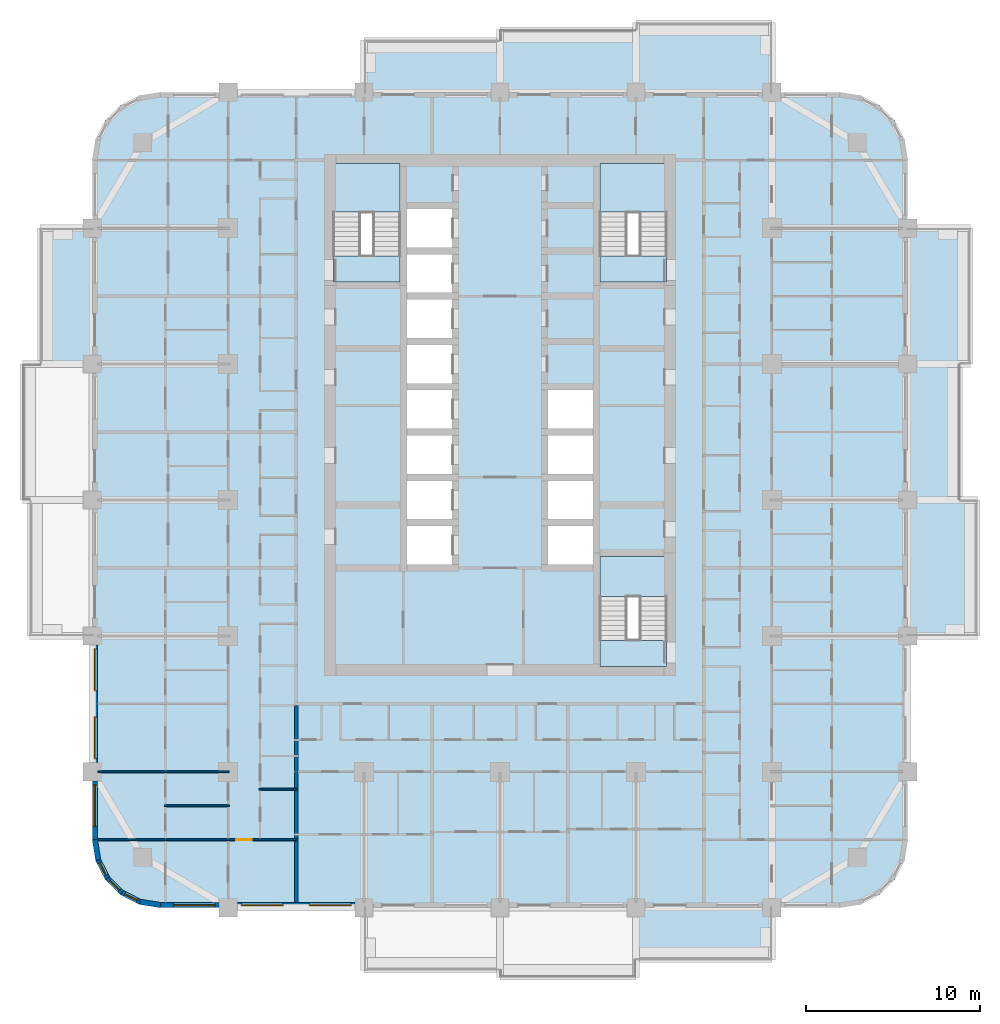
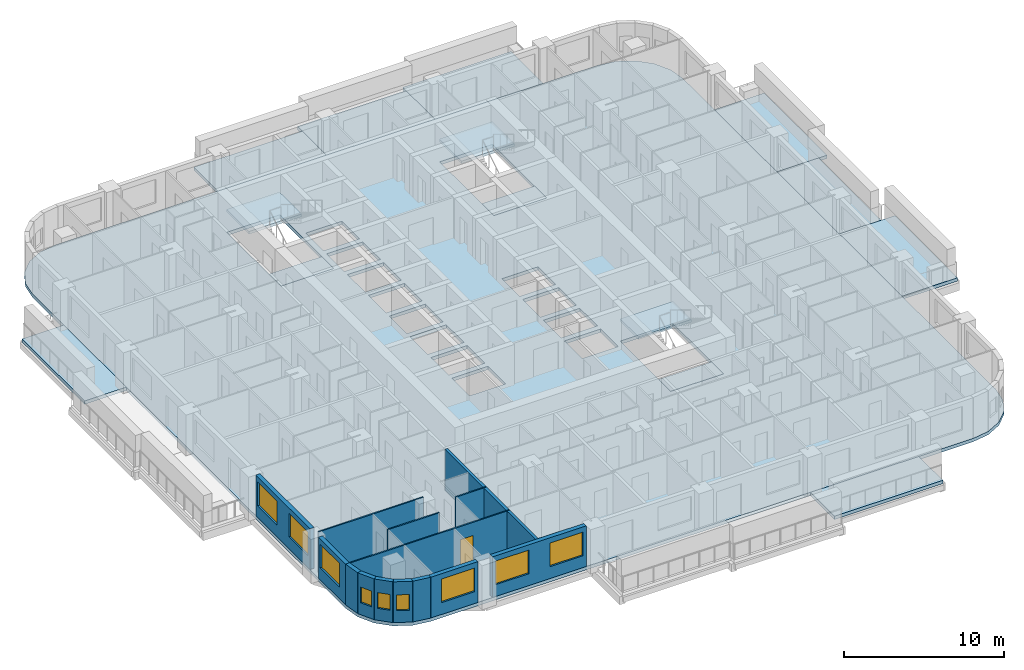
# One storey, part 2 of 17: 15 slabs, 14 walls, 9 windows, 1 door, 10 openings, 3 elements without a shape of their own.
"""IFC4 building model written with IfcOpenShell, lengths in metres."""

from ifc_helpers import new_model, si_unit, direction, frame, frame_2d, origin, place, context, subcontext, project, spatial, polyline, rectangle, outline, extrude, material, layer, layer_set, type_object, element, fill, aggregate, save


model = new_model("IFC4")

# Units and contexts
model_context = context("Model", 3, precision=1e-05, world=origin(), true_north=direction((0.0, 1.0)))
body_context = subcontext(model_context, "Body", "Model", "MODEL_VIEW")
ifc_project = project(units=[si_unit("LENGTHUNIT", "METRE"), si_unit("AREAUNIT", "SQUARE_METRE"), si_unit("VOLUMEUNIT", "CUBIC_METRE"), si_unit("PLANEANGLEUNIT", "RADIAN"), si_unit("MASSUNIT", "GRAM", prefix="KILO")], contexts=[model_context])

# Site, building, storey
site_placement = place(None, origin())
site = spatial("IfcSite", under=ifc_project, at=site_placement, CompositionType="ELEMENT")
building_placement = place(site_placement, origin())
building = spatial("IfcBuilding", under=site, at=building_placement, Name="Ludao Terraces", CompositionType="ELEMENT")
storey_placement = place(building_placement, frame((0.0, 0.0, 43.300048828125)))
storey = spatial("IfcBuildingStorey", under=building, at=storey_placement, Name="L11", CompositionType="ELEMENT", Elevation=43.300048828125)

# Slabs
ifc_material_1 = material(Name="Concrete C40", Category="concrete")
ifc_layer_1 = layer(ifc_material_1, 0.25)
ifc_layer_set_1 = layer_set([ifc_layer_1], Name="Balcony slab 250 C40")
slab_type_1 = type_object("IfcSlabType", Name="Balcony slab 250 C40", PredefinedType="USERDEFINED", material=ifc_layer_set_1)
slab_1_placement = place(storey_placement, frame((0.0, 0.0, -0.25)))
element("IfcSlab", 1, at=slab_1_placement, inside=storey, type_object=slab_type_1, Name="Balcony L11 S4", ObjectType="BALCONY", PredefinedType="USERDEFINED", context=body_context, shape_type="SweptSolid", body=[
    extrude(outline(polyline([(92.800048828125, 38.60009765625), (100.60009765625, 38.60009765625), (100.60009765625, 41.60009765625), (92.800048828125, 41.60009765625), (92.800048828125, 38.60009765625)])), origin(), (0.0, 0.0, 1.0), 0.25),
])
slab_2_placement = place(storey_placement, frame((0.0, 0.0, -0.25)))
element("IfcSlab", 2, at=slab_2_placement, inside=storey, type_object=slab_type_1, Name="Balcony L11 E2", ObjectType="BALCONY", PredefinedType="USERDEFINED", context=body_context, shape_type="SweptSolid", body=[
    extrude(outline(polyline([(108.39990234375, 57.199951171875), (112.39990234375, 57.199951171875), (112.39990234375, 65.0), (108.39990234375, 65.0), (108.39990234375, 57.199951171875)])), origin(), (0.0, 0.0, 1.0), 0.25),
])
slab_3_placement = place(storey_placement, frame((0.0, 0.0, -0.25)))
element("IfcSlab", 3, at=slab_3_placement, inside=storey, type_object=slab_type_1, Name="Balcony L11 E3", ObjectType="BALCONY", PredefinedType="USERDEFINED", context=body_context, shape_type="SweptSolid", body=[
    extrude(outline(polyline([(108.39990234375, 65.0), (111.39990234375, 65.0), (111.39990234375, 72.800048828125), (108.39990234375, 72.800048828125), (108.39990234375, 65.0)])), origin(), (0.0, 0.0, 1.0), 0.25),
])
slab_4_placement = place(storey_placement, frame((0.0, 0.0, -0.25)))
element("IfcSlab", 4, at=slab_4_placement, inside=storey, type_object=slab_type_1, Name="Balcony L11 E4", ObjectType="BALCONY", PredefinedType="USERDEFINED", context=body_context, shape_type="SweptSolid", body=[
    extrude(outline(polyline([(108.39990234375, 72.800048828125), (112.0, 72.800048828125), (112.0, 80.60009765625), (108.39990234375, 80.60009765625), (108.39990234375, 72.800048828125)])), origin(), (0.0, 0.0, 1.0), 0.25),
])
slab_5_placement = place(storey_placement, frame((0.0, 0.0, -0.25)))
element("IfcSlab", 5, at=slab_5_placement, inside=storey, type_object=slab_type_1, Name="Balcony L11 N2", ObjectType="BALCONY", PredefinedType="USERDEFINED", context=body_context, shape_type="SweptSolid", body=[
    extrude(outline(polyline([(77.199951171875, 88.39990234375), (85.0, 88.39990234375), (85.0, 91.39990234375), (77.199951171875, 91.39990234375), (77.199951171875, 88.39990234375)])), origin(), (0.0, 0.0, 1.0), 0.25),
])
slab_6_placement = place(storey_placement, frame((0.0, 0.0, -0.25)))
element("IfcSlab", 6, at=slab_6_placement, inside=storey, type_object=slab_type_1, Name="Balcony L11 N3", ObjectType="BALCONY", PredefinedType="USERDEFINED", context=body_context, shape_type="SweptSolid", body=[
    extrude(outline(polyline([(85.0, 88.39990234375), (92.800048828125, 88.39990234375), (92.800048828125, 92.0), (85.0, 92.0), (85.0, 88.39990234375)])), origin(), (0.0, 0.0, 1.0), 0.25),
])
slab_7_placement = place(storey_placement, frame((0.0, 0.0, -0.25)))
element("IfcSlab", 7, at=slab_7_placement, inside=storey, type_object=slab_type_1, Name="Balcony L11 N4", ObjectType="BALCONY", PredefinedType="USERDEFINED", context=body_context, shape_type="SweptSolid", body=[
    extrude(outline(polyline([(92.800048828125, 88.39990234375), (100.60009765625, 88.39990234375), (100.60009765625, 92.39990234375), (92.800048828125, 92.39990234375), (92.800048828125, 88.39990234375)])), origin(), (0.0, 0.0, 1.0), 0.25),
])
slab_8_placement = place(storey_placement, frame((0.0, 0.0, -0.25)))
element("IfcSlab", 8, at=slab_8_placement, inside=storey, type_object=slab_type_1, Name="Balcony L11 W4", ObjectType="BALCONY", PredefinedType="USERDEFINED", context=body_context, shape_type="SweptSolid", body=[
    extrude(outline(polyline([(58.60009765625, 72.800048828125), (61.60009765625, 72.800048828125), (61.60009765625, 80.60009765625), (58.60009765625, 80.60009765625), (58.60009765625, 72.800048828125)])), origin(), (0.0, 0.0, 1.0), 0.25),
])
ifc_layer_2 = layer(ifc_material_1, 0.25)
ifc_layer_set_2 = layer_set([ifc_layer_2], Name="Floor slab 250 C40")
slab_type_2 = type_object("IfcSlabType", Name="Floor slab 250 C40", PredefinedType="FLOOR", material=ifc_layer_set_2)
slab_9_placement = place(storey_placement, frame((0.0, 0.0, -0.25)))
element("IfcSlab", 9, at=slab_9_placement, inside=storey, type_object=slab_type_2, Name="Slab L11", PredefinedType="FLOOR", context=body_context, shape_type="SweptSolid", body=[
    extrude(outline(polyline([(104.5, 41.60009765625), (105.705078125, 41.790771484375), (106.79248046875, 42.3447265625), (107.6552734375, 43.20751953125), (108.209228515625, 44.294921875), (108.39990234375, 45.5), (108.39990234375, 84.5), (108.209228515625, 85.705078125), (107.6552734375, 86.79248046875), (106.79248046875, 87.6552734375), (105.705078125, 88.209228515625), (104.5, 88.39990234375), (65.5, 88.39990234375), (64.294921875, 88.209228515625), (63.20751953125, 87.6552734375), (62.3447265625, 86.79248046875), (61.790771484375, 85.705078125), (61.60009765625, 84.5), (61.60009765625, 45.5), (61.790771484375, 44.294921875), (62.3447265625, 43.20751953125), (63.20751953125, 42.3447265625), (64.294921875, 41.790771484375), (65.5, 41.60009765625), (104.5, 41.60009765625)]), holes=[polyline([(79.64990234375, 61.300048828125), (82.25, 61.300048828125), (82.25, 63.5), (79.64990234375, 63.5), (79.64990234375, 61.300048828125)]), polyline([(79.64990234375, 63.89990234375), (82.25, 63.89990234375), (82.25, 66.10009765625), (79.64990234375, 66.10009765625), (79.64990234375, 63.89990234375)]), polyline([(79.64990234375, 66.5), (82.25, 66.5), (82.25, 68.699951171875), (79.64990234375, 68.699951171875), (79.64990234375, 66.5)]), polyline([(79.64990234375, 69.10009765625), (82.25, 69.10009765625), (82.25, 71.300048828125), (79.64990234375, 71.300048828125), (79.64990234375, 69.10009765625)]), polyline([(79.64990234375, 71.699951171875), (82.25, 71.699951171875), (82.25, 73.89990234375), (79.64990234375, 73.89990234375), (79.64990234375, 71.699951171875)]), polyline([(79.64990234375, 74.300048828125), (82.25, 74.300048828125), (82.25, 76.5), (79.64990234375, 76.5), (79.64990234375, 74.300048828125)]), polyline([(79.64990234375, 76.89990234375), (82.25, 76.89990234375), (82.25, 79.10009765625), (79.64990234375, 79.10009765625), (79.64990234375, 76.89990234375)]), polyline([(79.64990234375, 79.5), (82.25, 79.5), (82.25, 81.699951171875), (79.64990234375, 81.699951171875), (79.64990234375, 79.5)]), polyline([(87.75, 61.300048828125), (90.35009765625, 61.300048828125), (90.35009765625, 63.5), (87.75, 63.5), (87.75, 61.300048828125)]), polyline([(87.75, 63.89990234375), (90.35009765625, 63.89990234375), (90.35009765625, 66.10009765625), (87.75, 66.10009765625), (87.75, 63.89990234375)]), polyline([(87.75, 66.5), (90.35009765625, 66.5), (90.35009765625, 68.699951171875), (87.75, 68.699951171875), (87.75, 66.5)]), polyline([(87.75, 69.10009765625), (90.35009765625, 69.10009765625), (90.35009765625, 71.300048828125), (87.75, 71.300048828125), (87.75, 69.10009765625)]), polyline([(75.449951171875, 77.5), (79.25, 77.5), (79.25, 84.239990234375), (75.449951171875, 84.239990234375), (75.449951171875, 77.5)]), polyline([(90.75, 77.5), (94.550048828125, 77.5), (94.550048828125, 84.239990234375), (90.75, 84.239990234375), (90.75, 77.5)]), polyline([(90.75, 55.449951171875), (94.550048828125, 55.449951171875), (94.550048828125, 61.75), (90.75, 61.75), (90.75, 55.449951171875)])]), origin(), (0.0, 0.0, 1.0), 0.25),
])

# Stair, slabs
stair_type = type_object("IfcStairType", Name="INT Stair", PredefinedType="HALF_TURN_STAIR", material=ifc_material_1)
stair_1_placement = place(storey_placement, origin())
stair_1 = element("IfcStair", 10, at=stair_1_placement, inside=storey, type_object=stair_type, Name="EXIT STAIR 1", PredefinedType="HALF_TURN_STAIR")
ifc_layer_3 = layer(ifc_material_1, 0.199951171875)
ifc_layer_set_3 = layer_set([ifc_layer_3], Name="INT Stair landing 200")
slab_type_3 = type_object("IfcSlabType", Name="INT Stair landing 200", PredefinedType="LANDING", material=ifc_layer_set_3)
slab_10_placement = place(storey_placement, frame((0.0, 0.0, 1.5)))
slab_10 = element("IfcSlab", 11, at=slab_10_placement, type_object=slab_type_3, Name="ST1 landing 1", PredefinedType="LANDING", context=body_context, shape_type="SweptSolid", body=[
    extrude(outline(polyline([(75.449951171875, 81.52001953125), (79.25, 81.52001953125), (79.25, 84.300048828125), (75.449951171875, 84.300048828125), (75.449951171875, 81.52001953125)])), origin(), (0.0, 0.0, 1.0), 0.199951171875),
])
slab_11_placement = place(storey_placement, frame((0.0, 0.0, -0.199951171875)))
slab_11 = element("IfcSlab", 12, at=slab_11_placement, type_object=slab_type_3, Name="ST1 landing 2", PredefinedType="LANDING", context=body_context, shape_type="SweptSolid", body=[
    extrude(outline(polyline([(75.449951171875, 77.5), (79.25, 77.5), (79.25, 79.0), (75.449951171875, 79.0), (75.449951171875, 77.5)])), origin(), (0.0, 0.0, 1.0), 0.199951171875),
])
aggregate(stair_1, [slab_10, slab_11])

stair_2_placement = place(storey_placement, origin())
stair_2 = element("IfcStair", 13, at=stair_2_placement, inside=storey, type_object=stair_type, Name="EXIT STAIR 2", PredefinedType="HALF_TURN_STAIR")
slab_12_placement = place(storey_placement, frame((0.0, 0.0, 1.5)))
slab_12 = element("IfcSlab", 14, at=slab_12_placement, type_object=slab_type_3, Name="ST2 landing 1", PredefinedType="LANDING", context=body_context, shape_type="SweptSolid", body=[
    extrude(outline(polyline([(90.75, 81.52001953125), (94.550048828125, 81.52001953125), (94.550048828125, 84.300048828125), (90.75, 84.300048828125), (90.75, 81.52001953125)])), origin(), (0.0, 0.0, 1.0), 0.199951171875),
])
slab_13_placement = place(storey_placement, frame((0.0, 0.0, -0.199951171875)))
slab_13 = element("IfcSlab", 15, at=slab_13_placement, type_object=slab_type_3, Name="ST2 landing 2", PredefinedType="LANDING", context=body_context, shape_type="SweptSolid", body=[
    extrude(outline(polyline([(90.75, 77.5), (94.550048828125, 77.5), (94.550048828125, 79.0), (90.75, 79.0), (90.75, 77.5)])), origin(), (0.0, 0.0, 1.0), 0.199951171875),
])
aggregate(stair_2, [slab_12, slab_13])

stair_3_placement = place(storey_placement, origin())
stair_3 = element("IfcStair", 16, at=stair_3_placement, inside=storey, type_object=stair_type, Name="EXIT STAIR 3", PredefinedType="HALF_TURN_STAIR")
slab_14_placement = place(storey_placement, frame((0.0, 0.0, 1.5)))
slab_14 = element("IfcSlab", 17, at=slab_14_placement, type_object=slab_type_3, Name="ST3 landing 1", PredefinedType="LANDING", context=body_context, shape_type="SweptSolid", body=[
    extrude(outline(polyline([(90.75, 59.469970703125), (94.550048828125, 59.469970703125), (94.550048828125, 61.75), (90.75, 61.75), (90.75, 59.469970703125)])), origin(), (0.0, 0.0, 1.0), 0.199951171875),
])
slab_15_placement = place(storey_placement, frame((0.0, 0.0, -0.199951171875)))
slab_15 = element("IfcSlab", 18, at=slab_15_placement, type_object=slab_type_3, Name="ST3 landing 2", PredefinedType="LANDING", context=body_context, shape_type="SweptSolid", body=[
    extrude(outline(polyline([(90.75, 55.449951171875), (94.550048828125, 55.449951171875), (94.550048828125, 56.949951171875), (90.75, 56.949951171875), (90.75, 55.449951171875)])), origin(), (0.0, 0.0, 1.0), 0.199951171875),
])
aggregate(stair_3, [slab_14, slab_15])

# Wall, opening, window
ifc_material_2 = material(Name="Granite cladding", Category="masonry")
ifc_layer_4 = layer(ifc_material_2, 0.0400390625, Category="stone")
ifc_material_3 = material(Name="Mineral wool")
ifc_layer_5 = layer(ifc_material_3, 0.06005859375)
ifc_layer_6 = layer(ifc_material_1, 0.199951171875, Category="concrete")
ifc_layer_set_4 = layer_set([ifc_layer_4, ifc_layer_5, ifc_layer_6], Name="ENV Stone-clad wall 300")
wall_type_1 = type_object("IfcWallType", Name="ENV Stone-clad wall 300", PredefinedType="SOLIDWALL", material=ifc_layer_set_4)
wall_1_placement = place(storey_placement, frame((65.5, 41.75, 0.0), z_axis=(0.0, 0.0, 1.0), x_axis=(1.0, 0.0, 0.0)))
wall_1 = element("IfcWall", 19, at=wall_1_placement, inside=storey, type_object=wall_type_1, Name="EW-L11-S1", PredefinedType="SOLIDWALL", context=body_context, shape_type="SweptSolid", body=[
    extrude(rectangle(XDim=3.375, YDim=0.300048828125, at=frame_2d((1.6875, 0.0))), origin(), (0.0, 0.0, 1.0), 3.099853515625),
])
opening_1_placement = place(wall_1_placement, frame((0.75, 0.0, 0.89990234375)))
opening_1 = element("IfcOpeningElement", 20, at=opening_1_placement, cuts=wall_1, Name="Opening W1", PredefinedType="OPENING", context=body_context, shape_type="SweptSolid", body=[
    extrude(rectangle(XDim=2.39990234375, YDim=1.800048828125, at=frame_2d((1.199951171875, 0.89990234375))), frame((0.0, 0.16015625, 0.0), z_axis=(0.0, -1.0, 0.0), x_axis=(1.0, 0.0, 0.0)), (0.0, 0.0, 1.0), 0.320068359375),
])
ifc_material_4 = material(Name="Clear glass in aluminium frame", Category="aluminium")
ifc_layer_7 = layer(ifc_material_4, 0.06005859375)
ifc_layer_set_5 = layer_set([ifc_layer_7], Name="ENV Window W1 2400x1800")
window_type_1 = type_object("IfcWindowType", Name="ENV Window W1 2400x1800", PartitioningType="DOUBLE_PANEL_VERTICAL", PredefinedType="WINDOW", material=ifc_layer_set_5)
window_1_placement = place(opening_1_placement, origin())
window_1 = element("IfcWindow", 21, at=window_1_placement, inside=storey, type_object=window_type_1, Name="W-L11-S1-1", OverallHeight=1.800048828125, OverallWidth=2.39990234375, PartitioningType="DOUBLE_PANEL_VERTICAL", PredefinedType="WINDOW", context=body_context, shape_type="SweptSolid", body=[
    extrude(rectangle(XDim=2.39990234375, YDim=1.800048828125, at=frame_2d((1.199951171875, 0.89990234375))), frame((0.0, 0.030029296875, 0.0), z_axis=(0.0, -1.0, 0.0), x_axis=(1.0, 0.0, 0.0)), (0.0, 0.0, 1.0), 0.06005859375),
])
fill(opening_1, window_1)

# Wall, openings, windows
wall_2_placement = place(storey_placement, frame((69.925048828125, 41.75, 0.0), z_axis=(0.0, 0.0, 1.0), x_axis=(1.0, 0.0, 0.0)))
wall_2 = element("IfcWall", 22, at=wall_2_placement, inside=storey, type_object=wall_type_1, Name="EW-L11-S2", PredefinedType="SOLIDWALL", context=body_context, shape_type="SweptSolid", body=[
    extrude(rectangle(XDim=6.75, YDim=0.300048828125, at=frame_2d((3.375, 0.0))), origin(), (0.0, 0.0, 1.0), 3.099853515625),
])
opening_2_placement = place(wall_2_placement, frame((0.22509765625, 0.0, 0.89990234375)))
opening_2 = element("IfcOpeningElement", 23, at=opening_2_placement, cuts=wall_2, Name="Opening W1", PredefinedType="OPENING", context=body_context, shape_type="SweptSolid", body=[
    extrude(rectangle(XDim=2.39990234375, YDim=1.800048828125, at=frame_2d((1.199951171875, 0.89990234375))), frame((0.0, 0.16015625, 0.0), z_axis=(0.0, -1.0, 0.0), x_axis=(1.0, 0.0, 0.0)), (0.0, 0.0, 1.0), 0.320068359375),
])
opening_3_placement = place(wall_2_placement, frame((4.125, 0.0, 0.89990234375)))
opening_3 = element("IfcOpeningElement", 24, at=opening_3_placement, cuts=wall_2, Name="Opening W1", PredefinedType="OPENING", context=body_context, shape_type="SweptSolid", body=[
    extrude(rectangle(XDim=2.39990234375, YDim=1.800048828125, at=frame_2d((1.199951171875, 0.89990234375))), frame((0.0, 0.16015625, 0.0), z_axis=(0.0, -1.0, 0.0), x_axis=(1.0, 0.0, 0.0)), (0.0, 0.0, 1.0), 0.320068359375),
])
window_2_placement = place(opening_2_placement, origin())
window_2 = element("IfcWindow", 25, at=window_2_placement, inside=storey, type_object=window_type_1, Name="W-L11-S2-1", OverallHeight=1.800048828125, OverallWidth=2.39990234375, PartitioningType="DOUBLE_PANEL_VERTICAL", PredefinedType="WINDOW", context=body_context, shape_type="SweptSolid", body=[
    extrude(rectangle(XDim=2.39990234375, YDim=1.800048828125, at=frame_2d((1.199951171875, 0.89990234375))), frame((0.0, 0.030029296875, 0.0), z_axis=(0.0, -1.0, 0.0), x_axis=(1.0, 0.0, 0.0)), (0.0, 0.0, 1.0), 0.06005859375),
])
fill(opening_2, window_2)
window_3_placement = place(opening_3_placement, origin())
window_3 = element("IfcWindow", 26, at=window_3_placement, inside=storey, type_object=window_type_1, Name="W-L11-S2-2", OverallHeight=1.800048828125, OverallWidth=2.39990234375, PartitioningType="DOUBLE_PANEL_VERTICAL", PredefinedType="WINDOW", context=body_context, shape_type="SweptSolid", body=[
    extrude(rectangle(XDim=2.39990234375, YDim=1.800048828125, at=frame_2d((1.199951171875, 0.89990234375))), frame((0.0, 0.030029296875, 0.0), z_axis=(0.0, -1.0, 0.0), x_axis=(1.0, 0.0, 0.0)), (0.0, 0.0, 1.0), 0.06005859375),
])
fill(opening_3, window_3)

# Wall, opening, window
wall_3_placement = place(storey_placement, frame((61.75, 45.5, 0.0), z_axis=(0.0, 0.0, 1.0), x_axis=(0.0, 1.0, 0.0)))
wall_3 = element("IfcWall", 27, at=wall_3_placement, inside=storey, type_object=wall_type_1, Name="EW-L11-W1", PredefinedType="SOLIDWALL", context=body_context, shape_type="SweptSolid", body=[
    extrude(rectangle(XDim=3.375, YDim=0.300048828125, at=frame_2d((1.6875, 0.0))), origin(), (0.0, 0.0, 1.0), 3.099853515625),
])
opening_4_placement = place(wall_3_placement, frame((0.75, 0.0, 0.89990234375)))
opening_4 = element("IfcOpeningElement", 28, at=opening_4_placement, cuts=wall_3, Name="Opening W1", PredefinedType="OPENING", context=body_context, shape_type="SweptSolid", body=[
    extrude(rectangle(XDim=2.39990234375, YDim=1.800048828125, at=frame_2d((1.199951171875, 0.89990234375))), frame((0.0, 0.16015625, 0.0), z_axis=(0.0, -1.0, 0.0), x_axis=(1.0, 0.0, 0.0)), (0.0, 0.0, 1.0), 0.320068359375),
])
window_4_placement = place(opening_4_placement, origin())
window_4 = element("IfcWindow", 29, at=window_4_placement, inside=storey, type_object=window_type_1, Name="W-L11-W1-1", OverallHeight=1.800048828125, OverallWidth=2.39990234375, PartitioningType="DOUBLE_PANEL_VERTICAL", PredefinedType="WINDOW", context=body_context, shape_type="SweptSolid", body=[
    extrude(rectangle(XDim=2.39990234375, YDim=1.800048828125, at=frame_2d((1.199951171875, 0.89990234375))), frame((0.0, 0.030029296875, 0.0), z_axis=(0.0, -1.0, 0.0), x_axis=(1.0, 0.0, 0.0)), (0.0, 0.0, 1.0), 0.06005859375),
])
fill(opening_4, window_4)

# Wall, openings, windows
wall_4_placement = place(storey_placement, frame((61.75, 49.925048828125, 0.0), z_axis=(0.0, 0.0, 1.0), x_axis=(0.0, 1.0, 0.0)))
wall_4 = element("IfcWall", 30, at=wall_4_placement, inside=storey, type_object=wall_type_1, Name="EW-L11-W2", PredefinedType="SOLIDWALL", context=body_context, shape_type="SweptSolid", body=[
    extrude(rectangle(XDim=6.75, YDim=0.300048828125, at=frame_2d((3.375, 0.0))), origin(), (0.0, 0.0, 1.0), 3.099853515625),
])
opening_5_placement = place(wall_4_placement, frame((0.22509765625, 0.0, 0.89990234375)))
opening_5 = element("IfcOpeningElement", 31, at=opening_5_placement, cuts=wall_4, Name="Opening W1", PredefinedType="OPENING", context=body_context, shape_type="SweptSolid", body=[
    extrude(rectangle(XDim=2.39990234375, YDim=1.800048828125, at=frame_2d((1.199951171875, 0.89990234375))), frame((0.0, 0.16015625, 0.0), z_axis=(0.0, -1.0, 0.0), x_axis=(1.0, 0.0, 0.0)), (0.0, 0.0, 1.0), 0.320068359375),
])
opening_6_placement = place(wall_4_placement, frame((4.125, 0.0, 0.89990234375)))
opening_6 = element("IfcOpeningElement", 32, at=opening_6_placement, cuts=wall_4, Name="Opening W1", PredefinedType="OPENING", context=body_context, shape_type="SweptSolid", body=[
    extrude(rectangle(XDim=2.39990234375, YDim=1.800048828125, at=frame_2d((1.199951171875, 0.89990234375))), frame((0.0, 0.16015625, 0.0), z_axis=(0.0, -1.0, 0.0), x_axis=(1.0, 0.0, 0.0)), (0.0, 0.0, 1.0), 0.320068359375),
])
window_5_placement = place(opening_5_placement, origin())
window_5 = element("IfcWindow", 33, at=window_5_placement, inside=storey, type_object=window_type_1, Name="W-L11-W2-1", OverallHeight=1.800048828125, OverallWidth=2.39990234375, PartitioningType="DOUBLE_PANEL_VERTICAL", PredefinedType="WINDOW", context=body_context, shape_type="SweptSolid", body=[
    extrude(rectangle(XDim=2.39990234375, YDim=1.800048828125, at=frame_2d((1.199951171875, 0.89990234375))), frame((0.0, 0.030029296875, 0.0), z_axis=(0.0, -1.0, 0.0), x_axis=(1.0, 0.0, 0.0)), (0.0, 0.0, 1.0), 0.06005859375),
])
fill(opening_5, window_5)
window_6_placement = place(opening_6_placement, origin())
window_6 = element("IfcWindow", 34, at=window_6_placement, inside=storey, type_object=window_type_1, Name="W-L11-W2-2", OverallHeight=1.800048828125, OverallWidth=2.39990234375, PartitioningType="DOUBLE_PANEL_VERTICAL", PredefinedType="WINDOW", context=body_context, shape_type="SweptSolid", body=[
    extrude(rectangle(XDim=2.39990234375, YDim=1.800048828125, at=frame_2d((1.199951171875, 0.89990234375))), frame((0.0, 0.030029296875, 0.0), z_axis=(0.0, -1.0, 0.0), x_axis=(1.0, 0.0, 0.0)), (0.0, 0.0, 1.0), 0.06005859375),
])
fill(opening_6, window_6)

# Wall
wall_5_placement = place(storey_placement, frame((61.75, 45.5, 0.0), z_axis=(0.0, 0.0, 1.0), x_axis=(0.156496880861, -0.987678452879, 0.0)))
element("IfcWall", 35, at=wall_5_placement, inside=storey, type_object=wall_type_1, Name="EW-L11-SW1", PredefinedType="SOLIDWALL", context=body_context, shape_type="SweptSolid", body=[
    extrude(rectangle(XDim=1.173095703125, YDim=0.300048828125, at=frame_2d((0.58642578125, 0.0))), origin(), (0.0, 0.0, 1.0), 3.099853515625),
])

# Wall, opening, window
wall_6_placement = place(storey_placement, frame((61.93359375, 44.34130859375, 0.0), z_axis=(0.0, 0.0, 1.0), x_axis=(0.454025524128, -0.890988677504, 0.0)))
wall_6 = element("IfcWall", 36, at=wall_6_placement, inside=storey, type_object=wall_type_1, Name="EW-L11-SW2", PredefinedType="SOLIDWALL", context=body_context, shape_type="SweptSolid", body=[
    extrude(rectangle(XDim=1.17333984375, YDim=0.300048828125, at=frame_2d((0.586669921875, 0.0))), origin(), (0.0, 0.0, 1.0), 3.099853515625),
])
opening_7_placement = place(wall_6_placement, frame((0.1865234375, 0.0, 0.89990234375)))
opening_7 = element("IfcOpeningElement", 37, at=opening_7_placement, cuts=wall_6, Name="Opening W3", PredefinedType="OPENING", context=body_context, shape_type="SweptSolid", body=[
    extrude(rectangle(XDim=0.800048828125, YDim=1.199951171875, at=frame_2d((0.39990234375, 0.60009765625))), frame((0.0, 0.16015625, 0.0), z_axis=(0.0, -1.0, 0.0), x_axis=(1.0, 0.0, 0.0)), (0.0, 0.0, 1.0), 0.320068359375),
])
ifc_layer_8 = layer(ifc_material_4, 0.06005859375)
ifc_layer_set_6 = layer_set([ifc_layer_8], Name="ENV Window W3 800x1200")
window_type_2 = type_object("IfcWindowType", Name="ENV Window W3 800x1200", PartitioningType="SINGLE_PANEL", PredefinedType="WINDOW", material=ifc_layer_set_6)
window_7_placement = place(opening_7_placement, origin())
window_7 = element("IfcWindow", 38, at=window_7_placement, inside=storey, type_object=window_type_2, Name="W-L11-SW2", OverallHeight=1.199951171875, OverallWidth=0.800048828125, PartitioningType="SINGLE_PANEL", PredefinedType="WINDOW", context=body_context, shape_type="SweptSolid", body=[
    extrude(rectangle(XDim=0.800048828125, YDim=1.199951171875, at=frame_2d((0.39990234375, 0.60009765625))), frame((0.0, 0.030029296875, 0.0), z_axis=(0.0, -1.0, 0.0), x_axis=(1.0, 0.0, 0.0)), (0.0, 0.0, 1.0), 0.06005859375),
])
fill(opening_7, window_7)

wall_7_placement = place(storey_placement, frame((62.46630859375, 43.2958984375, 0.0), z_axis=(0.0, 0.0, 1.0), x_axis=(0.707106781187, -0.707106781187, 0.0)))
wall_7 = element("IfcWall", 39, at=wall_7_placement, inside=storey, type_object=wall_type_1, Name="EW-L11-SW3", PredefinedType="SOLIDWALL", context=body_context, shape_type="SweptSolid", body=[
    extrude(rectangle(XDim=1.173095703125, YDim=0.300048828125, at=frame_2d((0.58642578125, 0.0))), origin(), (0.0, 0.0, 1.0), 3.099853515625),
])
opening_8_placement = place(wall_7_placement, frame((0.1865234375, 0.0, 0.89990234375)))
opening_8 = element("IfcOpeningElement", 40, at=opening_8_placement, cuts=wall_7, Name="Opening W3", PredefinedType="OPENING", context=body_context, shape_type="SweptSolid", body=[
    extrude(rectangle(XDim=0.800048828125, YDim=1.199951171875, at=frame_2d((0.39990234375, 0.60009765625))), frame((0.0, 0.16015625, 0.0), z_axis=(0.0, -1.0, 0.0), x_axis=(1.0, 0.0, 0.0)), (0.0, 0.0, 1.0), 0.320068359375),
])
window_8_placement = place(opening_8_placement, origin())
window_8 = element("IfcWindow", 41, at=window_8_placement, inside=storey, type_object=window_type_2, Name="W-L11-SW3", OverallHeight=1.199951171875, OverallWidth=0.800048828125, PartitioningType="SINGLE_PANEL", PredefinedType="WINDOW", context=body_context, shape_type="SweptSolid", body=[
    extrude(rectangle(XDim=0.800048828125, YDim=1.199951171875, at=frame_2d((0.39990234375, 0.60009765625))), frame((0.0, 0.030029296875, 0.0), z_axis=(0.0, -1.0, 0.0), x_axis=(1.0, 0.0, 0.0)), (0.0, 0.0, 1.0), 0.06005859375),
])
fill(opening_8, window_8)

wall_8_placement = place(storey_placement, frame((63.2958984375, 42.46630859375, 0.0), z_axis=(0.0, 0.0, 1.0), x_axis=(0.890988677504, -0.454025524128, 0.0)))
wall_8 = element("IfcWall", 42, at=wall_8_placement, inside=storey, type_object=wall_type_1, Name="EW-L11-SW4", PredefinedType="SOLIDWALL", context=body_context, shape_type="SweptSolid", body=[
    extrude(rectangle(XDim=1.17333984375, YDim=0.300048828125, at=frame_2d((0.586669921875, 0.0))), origin(), (0.0, 0.0, 1.0), 3.099853515625),
])
opening_9_placement = place(wall_8_placement, frame((0.1865234375, 0.0, 0.89990234375)))
opening_9 = element("IfcOpeningElement", 43, at=opening_9_placement, cuts=wall_8, Name="Opening W3", PredefinedType="OPENING", context=body_context, shape_type="SweptSolid", body=[
    extrude(rectangle(XDim=0.800048828125, YDim=1.199951171875, at=frame_2d((0.39990234375, 0.60009765625))), frame((0.0, 0.16015625, 0.0), z_axis=(0.0, -1.0, 0.0), x_axis=(1.0, 0.0, 0.0)), (0.0, 0.0, 1.0), 0.320068359375),
])
window_9_placement = place(opening_9_placement, origin())
window_9 = element("IfcWindow", 44, at=window_9_placement, inside=storey, type_object=window_type_2, Name="W-L11-SW4", OverallHeight=1.199951171875, OverallWidth=0.800048828125, PartitioningType="SINGLE_PANEL", PredefinedType="WINDOW", context=body_context, shape_type="SweptSolid", body=[
    extrude(rectangle(XDim=0.800048828125, YDim=1.199951171875, at=frame_2d((0.39990234375, 0.60009765625))), frame((0.0, 0.030029296875, 0.0), z_axis=(0.0, -1.0, 0.0), x_axis=(1.0, 0.0, 0.0)), (0.0, 0.0, 1.0), 0.06005859375),
])
fill(opening_9, window_9)

# Wall
wall_9_placement = place(storey_placement, frame((64.34130859375, 41.93359375, 0.0), z_axis=(0.0, 0.0, 1.0), x_axis=(0.987678452879, -0.156496880861, 0.0)))
element("IfcWall", 45, at=wall_9_placement, inside=storey, type_object=wall_type_1, Name="EW-L11-SW5", PredefinedType="SOLIDWALL", context=body_context, shape_type="SweptSolid", body=[
    extrude(rectangle(XDim=1.173095703125, YDim=0.300048828125, at=frame_2d((0.58642578125, 0.0))), origin(), (0.0, 0.0, 1.0), 3.099853515625),
])

# Wall, opening, door
ifc_material_5 = material(Name="Gypsum plasterboard", Category="gypsum")
ifc_layer_9 = layer(ifc_material_5, 0.012451171875, Category="gypsum")
ifc_layer_10 = layer(ifc_material_3, 0.06005859375, Name="insulation")
ifc_material_6 = material(Name="Steel Q235", Category="steel")
ifc_layer_11 = layer(ifc_material_6, 0.014892578125, Name="stud")
ifc_layer_12 = layer(ifc_material_5, 0.012451171875, Category="gypsum")
ifc_layer_set_7 = layer_set([ifc_layer_9, ifc_layer_10, ifc_layer_11, ifc_layer_12], Name="INT Partition 100")
wall_type_2 = type_object("IfcWallType", Name="INT Partition 100", PredefinedType="PARTITIONING", material=ifc_layer_set_7)
wall_10_placement = place(storey_placement, frame((61.900146484375, 45.5, 0.0), z_axis=(0.0, 0.0, 1.0), x_axis=(1.0, 0.0, 0.0)))
wall_10 = element("IfcWall", 46, at=wall_10_placement, inside=storey, type_object=wall_type_2, Name="PW-L11-PW000", PredefinedType="PARTITIONING", context=body_context, shape_type="SweptSolid", body=[
    extrude(rectangle(XDim=11.5, YDim=0.10009765625, at=frame_2d((5.75, 0.0))), origin(), (0.0, 0.0, 1.0), 3.099853515625),
])
opening_10_placement = place(wall_10_placement, frame((7.965087890625, 0.0, 0.0)))
opening_10 = element("IfcOpeningElement", 47, at=opening_10_placement, cuts=wall_10, Name="Opening R03-005", PredefinedType="OPENING", context=body_context, shape_type="SweptSolid", body=[
    extrude(rectangle(XDim=0.89990234375, YDim=2.10009765625, at=frame_2d((0.449951171875, 1.050048828125))), frame((0.0, 0.06005859375, 0.0), z_axis=(0.0, -1.0, 0.0), x_axis=(1.0, 0.0, 0.0)), (0.0, 0.0, 1.0), 0.1201171875),
])
ifc_material_7 = material(Name="Timber door leaf", Category="wood")
door_type = type_object("IfcDoorType", Name="INT Room door 900", OperationType="SINGLE_SWING_LEFT", PredefinedType="DOOR", material=ifc_material_7)
door_placement = place(opening_10_placement, origin())
door = element("IfcDoor", 48, at=door_placement, inside=storey, type_object=door_type, Name="DOOR 005", OperationType="SINGLE_SWING_RIGHT", OverallHeight=2.10009765625, OverallWidth=0.89990234375, PredefinedType="DOOR", context=body_context, shape_type="SweptSolid", body=[
    extrude(rectangle(XDim=0.89990234375, YDim=2.10009765625, at=frame_2d((0.449951171875, 1.050048828125))), frame((0.0, 0.02490234375, 0.0), z_axis=(0.0, -1.0, 0.0), x_axis=(1.0, 0.0, 0.0)), (0.0, 0.0, 1.0), 0.050048828125),
])
fill(opening_10, door)

# Walls
wall_11_placement = place(storey_placement, frame((65.75, 47.449951171875, 0.0), z_axis=(0.0, 0.0, 1.0), x_axis=(1.0, 0.0, 0.0)))
element("IfcWall", 49, at=wall_11_placement, inside=storey, type_object=wall_type_2, Name="PW-L11-PW005", PredefinedType="PARTITIONING", context=body_context, shape_type="SweptSolid", body=[
    extrude(rectangle(XDim=3.7001953125, YDim=0.10009765625, at=frame_2d((1.85009765625, 0.0))), origin(), (0.0, 0.0, 1.0), 3.099853515625),
])
wall_12_placement = place(storey_placement, frame((71.18017578125, 48.39990234375, 0.0), z_axis=(0.0, 0.0, 1.0), x_axis=(1.0, 0.0, 0.0)))
element("IfcWall", 50, at=wall_12_placement, inside=storey, type_object=wall_type_2, Name="PW-L11-PW008", PredefinedType="PARTITIONING", context=body_context, shape_type="SweptSolid", body=[
    extrude(rectangle(XDim=2.219970703125, YDim=0.10009765625, at=frame_2d((1.10986328125, 0.0))), origin(), (0.0, 0.0, 1.0), 3.099853515625),
])
wall_13_placement = place(storey_placement, frame((61.900146484375, 49.39990234375, 0.0), z_axis=(0.0, 0.0, 1.0), x_axis=(1.0, 0.0, 0.0)))
element("IfcWall", 51, at=wall_13_placement, inside=storey, type_object=wall_type_2, Name="PW-L11-PW009", PredefinedType="PARTITIONING", context=body_context, shape_type="SweptSolid", body=[
    extrude(rectangle(XDim=7.550048828125, YDim=0.10009765625, at=frame_2d((3.77490234375, 0.0))), origin(), (0.0, 0.0, 1.0), 3.099853515625),
])
ifc_material_8 = material(Name="Autoclaved aerated concrete block B06 A3.5", Category="concrete")
ifc_layer_13 = layer(ifc_material_8, 0.199951171875)
ifc_layer_set_8 = layer_set([ifc_layer_13], Name="INT Party wall 200")
wall_type_3 = type_object("IfcWallType", Name="INT Party wall 200", PredefinedType="PARTITIONING", material=ifc_layer_set_8)
wall_14_placement = place(storey_placement, frame((73.300048828125, 41.900146484375, 0.0), z_axis=(0.0, 0.0, 1.0), x_axis=(0.0, 1.0, 0.0)))
element("IfcWall", 52, at=wall_14_placement, inside=storey, type_object=wall_type_3, Name="PW-L11-PW089", PredefinedType="PARTITIONING", context=body_context, shape_type="SweptSolid", body=[
    extrude(rectangle(XDim=11.300048828125, YDim=0.199951171875, at=frame_2d((5.64990234375, 0.0))), origin(), (0.0, 0.0, 1.0), 3.099853515625),
])

save(model, "model.ifc")
